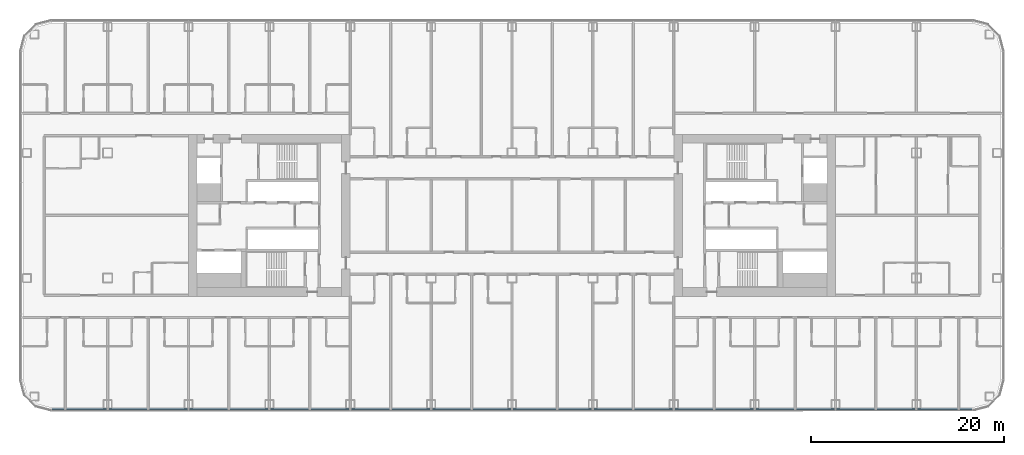
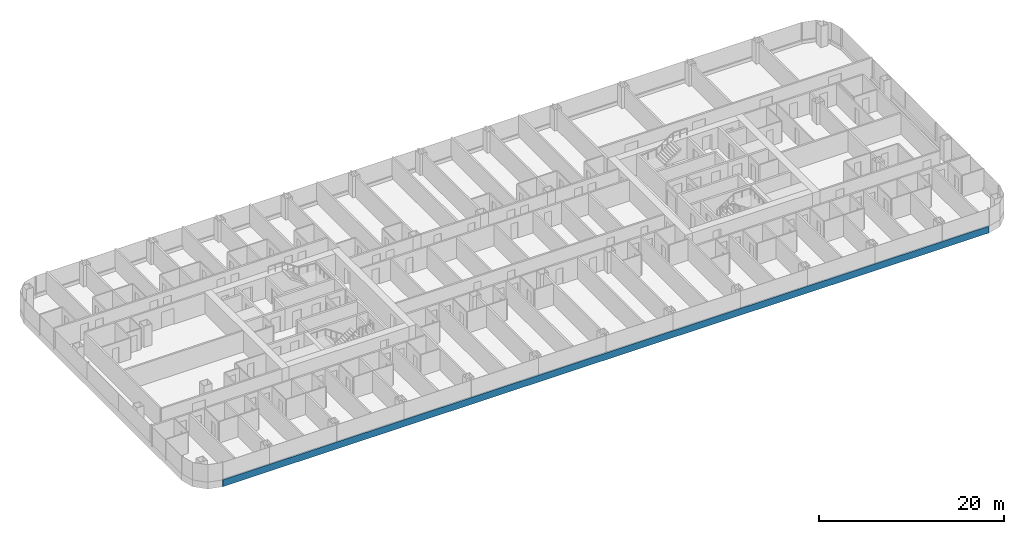
# One storey, part 5 of 29: 1 member, 1 element without a shape of its own.
"""IFC4 building model written with IfcOpenShell, lengths in metres."""

import ifcopenshell
import ifcopenshell.guid

model = None  # the IFC model being written
_history = None  # IfcOwnerHistory: only IFC2X3 demands one
_inside = {}  # id of a spatial element -> (the spatial element, [elements in it])
_under = {}  # id of a project, library or spatial element -> (it, [spatial elements below it])
_declared = {}  # id of a project -> (the project, [libraries it declares])
_typed = {}  # id of a type object -> (the type object, [elements of that type])
_made_of = {}  # id of a material, layer set ... -> (it, [elements and type objects made of it])


def new_model(schema):
    """Start an empty IFC model of exactly this schema.

    Asked for "IFC4X3", IfcOpenShell would pick the latest addendum, in which some entities
    have other attributes; the version numbers below select the first issue.
    IFC2X3 requires an IfcOwnerHistory on every rooted entity: one is made here for all.
    """
    global model, _history
    if schema == "IFC4X3":
        model = ifcopenshell.file(schema_version=(4, 3, 0, 0))
    else:
        model = ifcopenshell.file(schema=schema)
    _inside.clear()
    _under.clear()
    _declared.clear()
    _typed.clear()
    _made_of.clear()
    _history = None
    if model.schema == "IFC2X3":
        org = make("IfcOrganization", Name="unknown")
        user = make(
            "IfcPersonAndOrganization",
            ThePerson=make("IfcPerson", FamilyName="unknown"),
            TheOrganization=org,
        )
        app = make(
            "IfcApplication",
            ApplicationDeveloper=org,
            Version="unknown",
            ApplicationFullName="unknown",
            ApplicationIdentifier="unknown",
        )
        _history = make(
            "IfcOwnerHistory",
            OwningUser=user,
            OwningApplication=app,
            ChangeAction="ADDED",
            CreationDate=0,
        )
    return model


def make(cls, **values):
    """One entity of the class cls with the attributes given. An attribute that is None is left unset."""
    return model.create_entity(
        cls, **{name: value for name, value in values.items() if value is not None}
    )


def rooted(cls, **values):
    """An entity with a GlobalId (a new one), such as an element, a storey or a relation."""
    return make(cls, GlobalId=ifcopenshell.guid.new(), OwnerHistory=_history, **values)


def si_unit(unit_type, name, prefix=None):
    """IfcSIUnit, for example si_unit("LENGTHUNIT", "METRE", prefix="MILLI")."""
    return make("IfcSIUnit", UnitType=unit_type, Prefix=prefix, Name=name)


def assignment(units):
    """IfcUnitAssignment: the units of a project."""
    return None if units is None else make("IfcUnitAssignment", Units=units)


def point(xyz):
    """IfcCartesianPoint."""
    return None if xyz is None else make("IfcCartesianPoint", Coordinates=xyz)


def direction(xyz):
    """IfcDirection."""
    return None if xyz is None else make("IfcDirection", DirectionRatios=xyz)


def frame(location, z_axis=None, x_axis=None):
    """IfcAxis2Placement3D, a coordinate frame: its origin and axes. An axis left out is left unset."""
    return make(
        "IfcAxis2Placement3D",
        Location=point(location),
        Axis=direction(z_axis),
        RefDirection=direction(x_axis),
    )


def frame_2d(location, x_axis=None):
    """IfcAxis2Placement2D, a coordinate frame in the plane: its origin and x axis."""
    return make(
        "IfcAxis2Placement2D", Location=point(location), RefDirection=direction(x_axis)
    )


def origin():
    """The frame at (0, 0, 0) with its axes left unset."""
    return frame((0.0, 0.0, 0.0))


def origin_2d():
    """The frame at (0, 0) in the plane with its x axis left unset."""
    return frame_2d((0.0, 0.0))


def place(relative_to, where):
    """IfcLocalPlacement: puts the frame where relative to a parent placement (None: the world)."""
    return make(
        "IfcLocalPlacement", PlacementRelTo=relative_to, RelativePlacement=where
    )


def context(
    kind, dimensions, precision=None, world=None, true_north=None, identifier=None
):
    """IfcGeometricRepresentationContext, for example the 3D "Model" context."""
    return make(
        "IfcGeometricRepresentationContext",
        ContextIdentifier=identifier,
        ContextType=kind,
        CoordinateSpaceDimension=dimensions,
        Precision=precision,
        WorldCoordinateSystem=world,
        TrueNorth=true_north,
    )


def subcontext(parent, identifier, kind, view, scale=None):
    """IfcGeometricRepresentationSubContext, for example "Body" below "Model"."""
    return make(
        "IfcGeometricRepresentationSubContext",
        ContextIdentifier=identifier,
        ContextType=kind,
        ParentContext=parent,
        TargetScale=scale,
        TargetView=view,
    )


def project(units=None, contexts=None):
    """IfcProject with its units and contexts."""
    return rooted(
        "IfcProject",
        Name="project",
        RepresentationContexts=contexts,
        UnitsInContext=assignment(units),
    )


def spatial(cls, under=None, at=None, **own):
    """A site, building, storey or space (cls), placed at a placement, below another one or the project."""
    s = rooted(cls, ObjectPlacement=at, **own)
    if under is not None:
        _under.setdefault(under.id(), (under, []))[1].append(s)
    return s


def profile(cls, at=None, kind="AREA", **sizes):
    """A parametric profile (cls). Its sizes go by their IFC names, for example OverallWidth=200.0."""
    return make(cls, ProfileType=kind, Position=at, **sizes)


def rectangle(**sizes):
    """IfcRectangleProfileDef."""
    return profile("IfcRectangleProfileDef", **sizes)


def extrude(swept, where, along, depth):
    """IfcExtrudedAreaSolid: the profile swept, set in the frame where, extruded along a direction by depth."""
    return make(
        "IfcExtrudedAreaSolid",
        SweptArea=swept,
        Position=where,
        ExtrudedDirection=direction(along),
        Depth=depth,
    )


def shape(context_of_items, identifier, shape_type, items):
    """IfcShapeRepresentation: the items that make up one representation, for example the "Body"."""
    return make(
        "IfcShapeRepresentation",
        ContextOfItems=context_of_items,
        RepresentationIdentifier=identifier,
        RepresentationType=shape_type,
        Items=items,
    )


def material(Name=None, Category=None):
    """IfcMaterial."""
    return make("IfcMaterial", Name=Name, Category=Category)


def layer(
    of_material, thickness, ventilated=None, Name=None, Category=None, Priority=None
):
    """IfcMaterialLayer: one layer of a wall or slab, of a material (None: an air gap)."""
    return make(
        "IfcMaterialLayer",
        Material=of_material,
        LayerThickness=thickness,
        IsVentilated=ventilated,
        Name=Name,
        Category=Category,
        Priority=Priority,
    )


def layer_set(layers, Name=None):
    """IfcMaterialLayerSet."""
    return make("IfcMaterialLayerSet", MaterialLayers=layers, LayerSetName=Name)


def material_profile(
    of_material, cross_section, Name=None, Category=None, Priority=None
):
    """IfcMaterialProfile: a cross section and its material."""
    return make(
        "IfcMaterialProfile",
        Name=Name,
        Material=of_material,
        Profile=cross_section,
        Priority=Priority,
        Category=Category,
    )


def profile_set(profiles, Name=None, composite=None):
    """IfcMaterialProfileSet."""
    return make(
        "IfcMaterialProfileSet",
        Name=Name,
        MaterialProfiles=profiles,
        CompositeProfile=composite,
    )


def made_of(thing, what):
    """Note that an element or type object is made of a material, layer set ...; save() writes the relation."""
    if what is not None:
        _made_of.setdefault(what.id(), (what, []))[1].append(thing)
    return thing


def type_object(cls, material=None, **own):
    """A type object (cls), such as IfcWallType, which elements share."""
    return made_of(rooted(cls, **own), material)


def element(
    cls,
    number,
    at=None,
    inside=None,
    cuts=None,
    type_object=None,
    material=None,
    context=None,
    identifier="Body",
    shape_type=None,
    held_by="IfcProductDefinitionShape",
    body=None,
    shapes=None,
    **own,
):
    """One element of the class cls, such as IfcWall. Its Tag is "e" and its number.

    at: its placement. inside: the storey or other place that contains it. cuts: it is an
    opening in that element (IfcRelVoidsElement). A single representation is given by context,
    identifier, shape_type and body (its items); several are given by shapes. held_by: the class
    of the entity that holds the representations. save() writes the other relations.
    """
    e = rooted(cls, Tag="e%d" % number, ObjectPlacement=at, **own)
    if body is not None:
        shapes = [shape(context, identifier, shape_type, body)]
    if shapes is not None:
        e.Representation = make(held_by, Representations=shapes)
    if inside is not None:
        _inside.setdefault(inside.id(), (inside, []))[1].append(e)
    if cuts is not None:
        rooted(
            "IfcRelVoidsElement", RelatingBuildingElement=cuts, RelatedOpeningElement=e
        )
    if type_object is not None:
        _typed.setdefault(type_object.id(), (type_object, []))[1].append(e)
    return made_of(e, material)


def aggregate(whole, parts):
    """IfcRelAggregates: a whole, such as a stair, and the parts it consists of."""
    return rooted("IfcRelAggregates", RelatingObject=whole, RelatedObjects=parts)


def save(model, path):
    """Write the relations noted so far, then the file.

    IfcRelAggregates (storeys below a building ...), IfcRelContainedInSpatialStructure (elements
    in a storey), IfcRelDefinesByType, IfcRelAssociatesMaterial and IfcRelDeclares: one each for
    every whole, place, type object, material and project.
    """
    for whole, parts in _under.values():
        aggregate(whole, parts)
    for where, things in _inside.values():
        rooted(
            "IfcRelContainedInSpatialStructure",
            RelatedElements=things,
            RelatingStructure=where,
        )
    for kind, things in _typed.values():
        rooted("IfcRelDefinesByType", RelatedObjects=things, RelatingType=kind)
    for what, things in _made_of.values():
        rooted("IfcRelAssociatesMaterial", RelatedObjects=things, RelatingMaterial=what)
    for by, libraries in _declared.values():
        rooted("IfcRelDeclares", RelatingContext=by, RelatedDefinitions=libraries)
    model.write(path)


model = new_model("IFC4")

# Units and contexts
model_context = context("Model", 3, precision=1e-05, world=origin(), true_north=direction((0.0, 1.0)))
body_context = subcontext(model_context, "Body", "Model", "MODEL_VIEW")
ifc_project = project(units=[si_unit("LENGTHUNIT", "METRE"), si_unit("AREAUNIT", "SQUARE_METRE"), si_unit("VOLUMEUNIT", "CUBIC_METRE"), si_unit("PLANEANGLEUNIT", "RADIAN"), si_unit("MASSUNIT", "GRAM", prefix="KILO")], contexts=[model_context])

# Site, building, storey
site_placement = place(None, origin())
site = spatial("IfcSite", under=ifc_project, at=site_placement, CompositionType="ELEMENT")
building_placement = place(site_placement, origin())
building = spatial("IfcBuilding", under=site, at=building_placement, Name="Hakoniwa Tower and Hamabe Station Hall", CompositionType="ELEMENT")
storey_placement = place(building_placement, frame((0.0, 0.0, 55.0)))
storey = spatial("IfcBuildingStorey", under=building, at=storey_placement, Name="L15", CompositionType="ELEMENT", Elevation=55.0)

# Curtain wall, member
ifc_material_1 = material(Name="Dark low-e laminated glass", Category="glass")
ifc_layer = layer(ifc_material_1, 0.199951171875)
ifc_layer_set = layer_set([ifc_layer], Name="CW-1 UNITISED GUEST")
curtain_wall_type = type_object("IfcCurtainWallType", Name="CW-1 UNITISED GUEST", PredefinedType="NOTDEFINED", material=ifc_layer_set)
curtain_wall_placement = place(storey_placement, origin())
curtain_wall = element("IfcCurtainWall", 1, at=curtain_wall_placement, inside=storey, type_object=curtain_wall_type, Name="CW-1 curtain wall", PredefinedType="NOTDEFINED")
ifc_material_2 = material(Name="Aluminium 6063-T5 black anodised", Category="aluminium")
ifc_material_profile = material_profile(ifc_material_2, rectangle(XDim=0.199951171875, YDim=0.89990234375, at=origin_2d()), Name="CW SLAB-EDGE BAND 900X200")
ifc_profile_set = profile_set([ifc_material_profile], Name="Aluminium 6063-T5 black anodised")
member_type = type_object("IfcMemberType", Name="CW SLAB-EDGE BAND 900X200", PredefinedType="USERDEFINED", material=ifc_profile_set)
member_placement = place(storey_placement, frame((-47.839599609375, -20.199951171875, -0.10009765625), z_axis=(1.0, 0.0, 0.0), x_axis=(0.0, 1.0, 0.0)))
member = element("IfcMember", 2, at=member_placement, type_object=member_type, Name="CW-1 transom", ObjectType="TRANSOM", PredefinedType="USERDEFINED", context=body_context, shape_type="SweptSolid", body=[
    extrude(rectangle(XDim=0.199951171875, YDim=0.89990234375, at=origin_2d()), origin(), (0.0, 0.0, 1.0), 95.67919921875),
])
aggregate(curtain_wall, [member])

save(model, "model.ifc")
